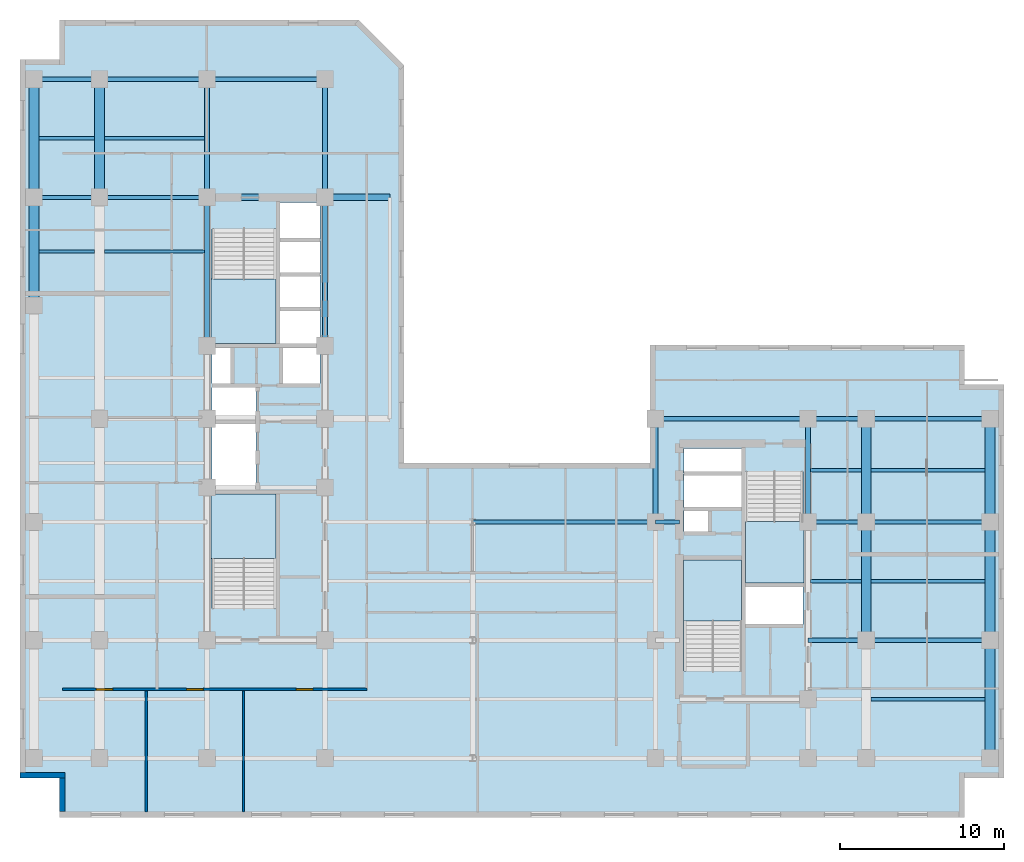
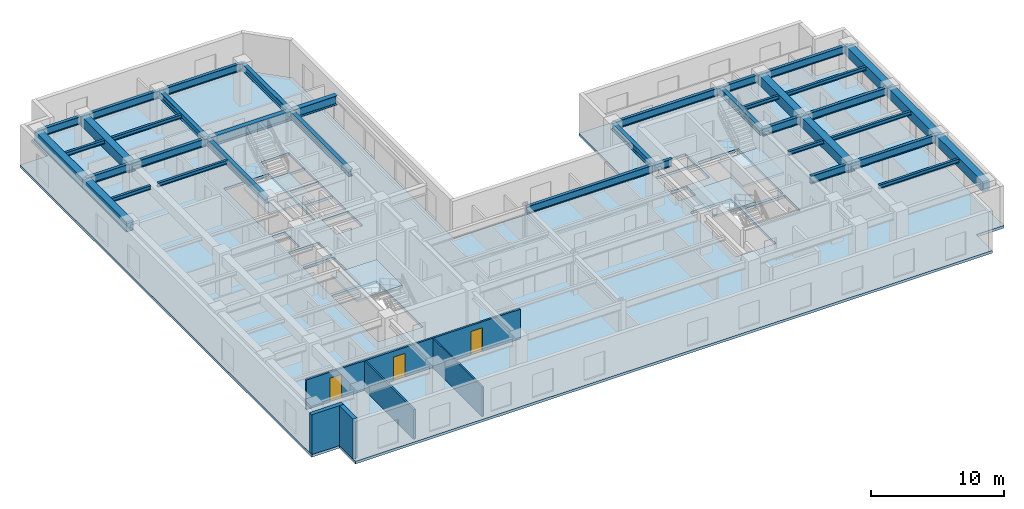
# One storey, part 2 of 10: 38 beams, 5 slabs, 5 walls, 3 doors, 3 openings, 4 elements without a shape of their own.
"""IFC4 building model written with IfcOpenShell, lengths in metres."""

from ifc_helpers import new_model, entity, si_unit, converted_unit, direction, frame, origin_with_axes, origin_2d_with_axis, place, context, subcontext, project, spatial, polyline, rectangle, i_section, outline, extrude, material, layer, layer_set, material_profile, profile_set, type_object, element, fill, aggregate, save


model = new_model("IFC4")

# Units and contexts
model_context = context("Model", 3, precision=1e-05, world=origin_with_axes(), true_north=direction((0.0, 1.0)))
body_context = subcontext(model_context, "Body", "Model", "MODEL_VIEW")
ifc_project = project(units=[si_unit("LENGTHUNIT", "METRE"), si_unit("AREAUNIT", "SQUARE_METRE"), si_unit("VOLUMEUNIT", "CUBIC_METRE"), converted_unit("PLANEANGLEUNIT", "DEGREE", entity("IfcPlaneAngleMeasure", 0.017453292519943295), si_unit("PLANEANGLEUNIT", "RADIAN"), dimensions=[0, 0, 0, 0, 0, 0, 0]), si_unit("MASSUNIT", "GRAM", prefix="KILO"), si_unit("THERMODYNAMICTEMPERATUREUNIT", "KELVIN")], contexts=[model_context])

# Site, building, storey
site_placement = place(None, origin_with_axes())
site = spatial("IfcSite", under=ifc_project, at=site_placement, CompositionType="ELEMENT")
building_placement = place(site_placement, origin_with_axes())
building = spatial("IfcBuilding", under=site, at=building_placement, Name="Varnlund Millrace Tower", CompositionType="ELEMENT")
storey_placement = place(building_placement, frame((0.0, 0.0, 160.2), z_axis=(0.0, 0.0, 1.0), x_axis=(1.0, 0.0, 0.0)))
storey = spatial("IfcBuildingStorey", under=building, at=storey_placement, Name="L39", CompositionType="ELEMENT", Elevation=160.2)

# Beams
ifc_material_1 = material(Name="Steel ASTM A992 Grade 50", Category="steel")
ifc_material_profile_1 = material_profile(ifc_material_1, i_section(OverallWidth=0.328, OverallDepth=0.628, WebThickness=0.0165, FlangeThickness=0.0277, FilletRadius=0.018, at=origin_2d_with_axis()), Name="Steel ASTM A992 Grade 50")
ifc_profile_set_1 = profile_set([ifc_material_profile_1], Name="Steel ASTM A992 Grade 50")
beam_type_1 = type_object("IfcBeamType", Name="Type-Girder-W24X146", PredefinedType="USERDEFINED", material=ifc_profile_set_1)
beam_1_placement = place(storey_placement, frame((11.4, 28.75, 3.346), z_axis=(0.0, 1.0, 0.0), x_axis=(-1.0, 0.0, 0.0)))
element("IfcBeam", 1, at=beam_1_placement, inside=storey, type_object=beam_type_1, Name="Type-Girder-W24X146", ObjectType="GIRDER", PredefinedType="USERDEFINED", context=body_context, shape_type="SweptSolid", body=[
    extrude(i_section(OverallWidth=0.328, OverallDepth=0.628, WebThickness=0.0165, FlangeThickness=0.0277, FilletRadius=0.018, at=origin_2d_with_axis()), origin_with_axes(), (0.0, 0.0, 1.0), 9.05),
])
beam_2_placement = place(storey_placement, frame((11.4, 37.8, 3.346), z_axis=(0.0, 1.0, 0.0), x_axis=(-1.0, 0.0, 0.0)))
element("IfcBeam", 2, at=beam_2_placement, inside=storey, type_object=beam_type_1, Name="Type-Girder-W24X146", ObjectType="GIRDER", PredefinedType="USERDEFINED", context=body_context, shape_type="SweptSolid", body=[
    extrude(i_section(OverallWidth=0.328, OverallDepth=0.628, WebThickness=0.0165, FlangeThickness=0.0277, FilletRadius=0.018, at=origin_2d_with_axis()), origin_with_axes(), (0.0, 0.0, 1.0), 7.2),
])
beam_3_placement = place(storey_placement, frame((18.6, 28.75, 3.346), z_axis=(0.0, 1.0, 0.0), x_axis=(-1.0, 0.0, 0.0)))
element("IfcBeam", 3, at=beam_3_placement, inside=storey, type_object=beam_type_1, Name="Type-Girder-W24X146", ObjectType="GIRDER", PredefinedType="USERDEFINED", context=body_context, shape_type="SweptSolid", body=[
    extrude(i_section(OverallWidth=0.328, OverallDepth=0.628, WebThickness=0.0165, FlangeThickness=0.0277, FilletRadius=0.018, at=origin_2d_with_axis()), origin_with_axes(), (0.0, 0.0, 1.0), 9.05),
])
beam_4_placement = place(storey_placement, frame((18.6, 37.8, 3.346), z_axis=(0.0, 1.0, 0.0), x_axis=(-1.0, 0.0, 0.0)))
element("IfcBeam", 4, at=beam_4_placement, inside=storey, type_object=beam_type_1, Name="Type-Girder-W24X146", ObjectType="GIRDER", PredefinedType="USERDEFINED", context=body_context, shape_type="SweptSolid", body=[
    extrude(i_section(OverallWidth=0.328, OverallDepth=0.628, WebThickness=0.0165, FlangeThickness=0.0277, FilletRadius=0.018, at=origin_2d_with_axis()), origin_with_axes(), (0.0, 0.0, 1.0), 7.2),
])
for number, where, z_axis, x_axis, name in (
    (5, (38.75, 18.0, 3.346), (0.0, 1.0, 0.0), (-1.0, 0.0, 0.0), "Type-Girder-W24X146"),
    (6, (48.05, 18.0, 3.346), (0.0, 1.0, 0.0), (-1.0, 0.0, 0.0), "Type-Girder-W24X146"),
):
    element("IfcBeam", number, at=place(storey_placement, frame(where, z_axis=z_axis, x_axis=x_axis)), inside=storey, type_object=beam_type_1, Name=name, ObjectType="GIRDER", PredefinedType="USERDEFINED", context=body_context, shape_type="SweptSolid", body=[
        extrude(i_section(OverallWidth=0.328, OverallDepth=0.628, WebThickness=0.0165, FlangeThickness=0.0277, FilletRadius=0.018, at=origin_2d_with_axis()), origin_with_axes(), (0.0, 0.0, 1.0), 6.3),
    ])
ifc_material_profile_2 = material_profile(ifc_material_1, i_section(OverallWidth=0.256, OverallDepth=0.693, WebThickness=0.0145, FlangeThickness=0.0236, FilletRadius=0.018, at=origin_2d_with_axis()), Name="Steel ASTM A992 Grade 50")
ifc_profile_set_2 = profile_set([ifc_material_profile_2], Name="Steel ASTM A992 Grade 50")
beam_type_2 = type_object("IfcBeamType", Name="Type-Girder-W27X114", PredefinedType="USERDEFINED", material=ifc_profile_set_2)
beam_5_placement = place(storey_placement, frame((48.05, 10.8, 3.3135), z_axis=(1.0, 0.0, 0.0), x_axis=(0.0, 1.0, 0.0)))
element("IfcBeam", 7, at=beam_5_placement, inside=storey, type_object=beam_type_2, Name="Type-Girder-W27X114", ObjectType="GIRDER", PredefinedType="USERDEFINED", context=body_context, shape_type="SweptSolid", body=[
    extrude(i_section(OverallWidth=0.256, OverallDepth=0.693, WebThickness=0.0145, FlangeThickness=0.0236, FilletRadius=0.018, at=origin_2d_with_axis()), origin_with_axes(), (0.0, 0.0, 1.0), 3.55),
])
beam_6_placement = place(storey_placement, frame((51.6, 10.8, 3.3135), z_axis=(1.0, 0.0, 0.0), x_axis=(0.0, 1.0, 0.0)))
element("IfcBeam", 8, at=beam_6_placement, inside=storey, type_object=beam_type_2, Name="Type-Girder-W27X114", ObjectType="GIRDER", PredefinedType="USERDEFINED", context=body_context, shape_type="SweptSolid", body=[
    extrude(i_section(OverallWidth=0.256, OverallDepth=0.693, WebThickness=0.0145, FlangeThickness=0.0236, FilletRadius=0.018, at=origin_2d_with_axis()), origin_with_axes(), (0.0, 0.0, 1.0), 7.55),
])
beam_7_placement = place(storey_placement, frame((27.6, 18.0, 3.3135), z_axis=(1.0, 0.0, 0.0), x_axis=(0.0, 1.0, 0.0)))
element("IfcBeam", 9, at=beam_7_placement, inside=storey, type_object=beam_type_2, Name="Type-Girder-W27X114", ObjectType="GIRDER", PredefinedType="USERDEFINED", context=body_context, shape_type="SweptSolid", body=[
    extrude(i_section(OverallWidth=0.256, OverallDepth=0.693, WebThickness=0.0145, FlangeThickness=0.0236, FilletRadius=0.018, at=origin_2d_with_axis()), origin_with_axes(), (0.0, 0.0, 1.0), 11.15),
])
beam_8_placement = place(storey_placement, frame((38.75, 18.0, 3.3135), z_axis=(1.0, 0.0, 0.0), x_axis=(0.0, 1.0, 0.0)))
element("IfcBeam", 10, at=beam_8_placement, inside=storey, type_object=beam_type_2, Name="Type-Girder-W27X114", ObjectType="GIRDER", PredefinedType="USERDEFINED", context=body_context, shape_type="SweptSolid", body=[
    extrude(i_section(OverallWidth=0.256, OverallDepth=0.693, WebThickness=0.0145, FlangeThickness=0.0236, FilletRadius=0.018, at=origin_2d_with_axis()), origin_with_axes(), (0.0, 0.0, 1.0), 1.45),
])
beam_9_placement = place(storey_placement, frame((48.05, 18.0, 3.3135), z_axis=(1.0, 0.0, 0.0), x_axis=(0.0, 1.0, 0.0)))
element("IfcBeam", 11, at=beam_9_placement, inside=storey, type_object=beam_type_2, Name="Type-Girder-W27X114", ObjectType="GIRDER", PredefinedType="USERDEFINED", context=body_context, shape_type="SweptSolid", body=[
    extrude(i_section(OverallWidth=0.256, OverallDepth=0.693, WebThickness=0.0145, FlangeThickness=0.0236, FilletRadius=0.018, at=origin_2d_with_axis()), origin_with_axes(), (0.0, 0.0, 1.0), 3.55),
])
beam_10_placement = place(storey_placement, frame((51.6, 18.0, 3.3135), z_axis=(1.0, 0.0, 0.0), x_axis=(0.0, 1.0, 0.0)))
element("IfcBeam", 12, at=beam_10_placement, inside=storey, type_object=beam_type_2, Name="Type-Girder-W27X114", ObjectType="GIRDER", PredefinedType="USERDEFINED", context=body_context, shape_type="SweptSolid", body=[
    extrude(i_section(OverallWidth=0.256, OverallDepth=0.693, WebThickness=0.0145, FlangeThickness=0.0236, FilletRadius=0.018, at=origin_2d_with_axis()), origin_with_axes(), (0.0, 0.0, 1.0), 7.55),
])
beam_11_placement = place(storey_placement, frame((38.75, 24.3, 3.3135), z_axis=(1.0, 0.0, 0.0), x_axis=(0.0, 1.0, 0.0)))
element("IfcBeam", 13, at=beam_11_placement, inside=storey, type_object=beam_type_2, Name="Type-Girder-W27X114", ObjectType="GIRDER", PredefinedType="USERDEFINED", context=body_context, shape_type="SweptSolid", body=[
    extrude(i_section(OverallWidth=0.256, OverallDepth=0.693, WebThickness=0.0145, FlangeThickness=0.0236, FilletRadius=0.018, at=origin_2d_with_axis()), origin_with_axes(), (0.0, 0.0, 1.0), 9.3),
])
beam_12_placement = place(storey_placement, frame((48.05, 24.3, 3.3135), z_axis=(1.0, 0.0, 0.0), x_axis=(0.0, 1.0, 0.0)))
element("IfcBeam", 14, at=beam_12_placement, inside=storey, type_object=beam_type_2, Name="Type-Girder-W27X114", ObjectType="GIRDER", PredefinedType="USERDEFINED", context=body_context, shape_type="SweptSolid", body=[
    extrude(i_section(OverallWidth=0.256, OverallDepth=0.693, WebThickness=0.0145, FlangeThickness=0.0236, FilletRadius=0.018, at=origin_2d_with_axis()), origin_with_axes(), (0.0, 0.0, 1.0), 3.55),
])
beam_13_placement = place(storey_placement, frame((51.6, 24.3, 3.3135), z_axis=(1.0, 0.0, 0.0), x_axis=(0.0, 1.0, 0.0)))
element("IfcBeam", 15, at=beam_13_placement, inside=storey, type_object=beam_type_2, Name="Type-Girder-W27X114", ObjectType="GIRDER", PredefinedType="USERDEFINED", context=body_context, shape_type="SweptSolid", body=[
    extrude(i_section(OverallWidth=0.256, OverallDepth=0.693, WebThickness=0.0145, FlangeThickness=0.0236, FilletRadius=0.018, at=origin_2d_with_axis()), origin_with_axes(), (0.0, 0.0, 1.0), 7.55),
])
beam_14_placement = place(storey_placement, frame((0.85, 37.8, 3.3135), z_axis=(1.0, 0.0, 0.0), x_axis=(0.0, 1.0, 0.0)))
element("IfcBeam", 16, at=beam_14_placement, inside=storey, type_object=beam_type_2, Name="Type-Girder-W27X114", ObjectType="GIRDER", PredefinedType="USERDEFINED", context=body_context, shape_type="SweptSolid", body=[
    extrude(i_section(OverallWidth=0.256, OverallDepth=0.693, WebThickness=0.0145, FlangeThickness=0.0236, FilletRadius=0.018, at=origin_2d_with_axis()), origin_with_axes(), (0.0, 0.0, 1.0), 4.0),
])
beam_15_placement = place(storey_placement, frame((4.85, 37.8, 3.3135), z_axis=(1.0, 0.0, 0.0), x_axis=(0.0, 1.0, 0.0)))
element("IfcBeam", 17, at=beam_15_placement, inside=storey, type_object=beam_type_2, Name="Type-Girder-W27X114", ObjectType="GIRDER", PredefinedType="USERDEFINED", context=body_context, shape_type="SweptSolid", body=[
    extrude(i_section(OverallWidth=0.256, OverallDepth=0.693, WebThickness=0.0145, FlangeThickness=0.0236, FilletRadius=0.018, at=origin_2d_with_axis()), origin_with_axes(), (0.0, 0.0, 1.0), 6.55),
])
beam_16_placement = place(storey_placement, frame((0.85, 45.0, 3.3135), z_axis=(1.0, 0.0, 0.0), x_axis=(0.0, 1.0, 0.0)))
element("IfcBeam", 18, at=beam_16_placement, inside=storey, type_object=beam_type_2, Name="Type-Girder-W27X114", ObjectType="GIRDER", PredefinedType="USERDEFINED", context=body_context, shape_type="SweptSolid", body=[
    extrude(i_section(OverallWidth=0.256, OverallDepth=0.693, WebThickness=0.0145, FlangeThickness=0.0236, FilletRadius=0.018, at=origin_2d_with_axis()), origin_with_axes(), (0.0, 0.0, 1.0), 4.0),
])
beam_17_placement = place(storey_placement, frame((4.85, 45.0, 3.3135), z_axis=(1.0, 0.0, 0.0), x_axis=(0.0, 1.0, 0.0)))
element("IfcBeam", 19, at=beam_17_placement, inside=storey, type_object=beam_type_2, Name="Type-Girder-W27X114", ObjectType="GIRDER", PredefinedType="USERDEFINED", context=body_context, shape_type="SweptSolid", body=[
    extrude(i_section(OverallWidth=0.256, OverallDepth=0.693, WebThickness=0.0145, FlangeThickness=0.0236, FilletRadius=0.018, at=origin_2d_with_axis()), origin_with_axes(), (0.0, 0.0, 1.0), 6.55),
])
beam_18_placement = place(storey_placement, frame((11.4, 45.0, 3.3135), z_axis=(1.0, 0.0, 0.0), x_axis=(0.0, 1.0, 0.0)))
element("IfcBeam", 20, at=beam_18_placement, inside=storey, type_object=beam_type_2, Name="Type-Girder-W27X114", ObjectType="GIRDER", PredefinedType="USERDEFINED", context=body_context, shape_type="SweptSolid", body=[
    extrude(i_section(OverallWidth=0.256, OverallDepth=0.693, WebThickness=0.0145, FlangeThickness=0.0236, FilletRadius=0.018, at=origin_2d_with_axis()), origin_with_axes(), (0.0, 0.0, 1.0), 7.2),
])
ifc_material_profile_3 = material_profile(ifc_material_1, i_section(OverallWidth=0.399, OverallDepth=0.855, WebThickness=0.0182, FlangeThickness=0.0292, FilletRadius=0.022, at=origin_2d_with_axis()), Name="Steel ASTM A992 Grade 50")
ifc_profile_set_3 = profile_set([ifc_material_profile_3], Name="Steel ASTM A992 Grade 50")
beam_type_3 = type_object("IfcBeamType", Name="Type-Girder-W33X201", PredefinedType="USERDEFINED", material=ifc_profile_set_3)
beam_19_placement = place(storey_placement, frame((11.4, 37.8, 3.2325), z_axis=(1.0, 0.0, 0.0), x_axis=(0.0, 1.0, 0.0)))
element("IfcBeam", 21, at=beam_19_placement, inside=storey, type_object=beam_type_3, Name="Type-Girder-W33X201", ObjectType="GIRDER", PredefinedType="USERDEFINED", context=body_context, shape_type="SweptSolid", body=[
    extrude(i_section(OverallWidth=0.399, OverallDepth=0.855, WebThickness=0.0182, FlangeThickness=0.0292, FilletRadius=0.022, at=origin_2d_with_axis()), origin_with_axes(), (0.0, 0.0, 1.0), 11.15),
])
ifc_material_profile_4 = material_profile(ifc_material_1, i_section(OverallWidth=0.204, OverallDepth=0.35, WebThickness=0.0086, FlangeThickness=0.0151, FilletRadius=0.013, at=origin_2d_with_axis()), Name="Steel ASTM A992 Grade 50")
ifc_profile_set_4 = profile_set([ifc_material_profile_4], Name="Steel ASTM A992 Grade 50")
beam_type_4 = type_object("IfcBeamType", Name="Type-Joist-W14X48", PredefinedType="JOIST", material=ifc_profile_set_4)
for number, where, z_axis, x_axis, name in (
    (22, (1.15, 34.5, 3.485), (1.0, 0.0, 0.0), (0.0, 1.0, 0.0), "Type-Joist-W14X48"),
    (23, (1.15, 41.4, 3.485), (1.0, 0.0, 0.0), (0.0, 1.0, 0.0), "Type-Joist-W14X48"),
):
    element("IfcBeam", number, at=place(storey_placement, frame(where, z_axis=z_axis, x_axis=x_axis)), inside=storey, type_object=beam_type_4, Name=name, PredefinedType="JOIST", context=body_context, shape_type="SweptSolid", body=[
        extrude(i_section(OverallWidth=0.204, OverallDepth=0.35, WebThickness=0.0086, FlangeThickness=0.0151, FilletRadius=0.013, at=origin_2d_with_axis()), origin_with_axes(), (0.0, 0.0, 1.0), 3.4),
    ])
for number, where, z_axis, x_axis, name in (
    (24, (5.15, 34.5, 3.485), (1.0, 0.0, 0.0), (0.0, 1.0, 0.0), "Type-Joist-W14X48"),
    (25, (5.15, 41.4, 3.485), (1.0, 0.0, 0.0), (0.0, 1.0, 0.0), "Type-Joist-W14X48"),
):
    element("IfcBeam", number, at=place(storey_placement, frame(where, z_axis=z_axis, x_axis=x_axis)), inside=storey, type_object=beam_type_4, Name=name, PredefinedType="JOIST", context=body_context, shape_type="SweptSolid", body=[
        extrude(i_section(OverallWidth=0.204, OverallDepth=0.35, WebThickness=0.0086, FlangeThickness=0.0151, FilletRadius=0.013, at=origin_2d_with_axis()), origin_with_axes(), (0.0, 0.0, 1.0), 6.086),
    ])
for number, where, z_axis, x_axis, name in (
    (26, (48.214, 14.4, 3.485), (1.0, 0.0, 0.0), (0.0, 1.0, 0.0), "Type-Joist-W14X48"),
    (27, (48.214, 21.15, 3.485), (1.0, 0.0, 0.0), (0.0, 1.0, 0.0), "Type-Joist-W14X48"),
):
    element("IfcBeam", number, at=place(storey_placement, frame(where, z_axis=z_axis, x_axis=x_axis)), inside=storey, type_object=beam_type_4, Name=name, PredefinedType="JOIST", context=body_context, shape_type="SweptSolid", body=[
        extrude(i_section(OverallWidth=0.204, OverallDepth=0.35, WebThickness=0.0086, FlangeThickness=0.0151, FilletRadius=0.013, at=origin_2d_with_axis()), origin_with_axes(), (0.0, 0.0, 1.0), 3.086),
    ])
for number, where, z_axis, x_axis, name in (
    (28, (51.9, 7.2, 3.485), (1.0, 0.0, 0.0), (0.0, 1.0, 0.0), "Type-Joist-W14X48"),
    (29, (51.9, 14.4, 3.485), (1.0, 0.0, 0.0), (0.0, 1.0, 0.0), "Type-Joist-W14X48"),
    (30, (51.9, 21.15, 3.485), (1.0, 0.0, 0.0), (0.0, 1.0, 0.0), "Type-Joist-W14X48"),
):
    element("IfcBeam", number, at=place(storey_placement, frame(where, z_axis=z_axis, x_axis=x_axis)), inside=storey, type_object=beam_type_4, Name=name, PredefinedType="JOIST", context=body_context, shape_type="SweptSolid", body=[
        extrude(i_section(OverallWidth=0.204, OverallDepth=0.35, WebThickness=0.0086, FlangeThickness=0.0151, FilletRadius=0.013, at=origin_2d_with_axis()), origin_with_axes(), (0.0, 0.0, 1.0), 6.95),
    ])
ifc_material_2 = material(Name="Concrete C70/85", Category="concrete")
ifc_material_profile_5 = material_profile(ifc_material_2, rectangle(XDim=0.6, YDim=0.9, at=origin_2d_with_axis()), Name="Concrete C70/85")
ifc_profile_set_5 = profile_set([ifc_material_profile_5], Name="Concrete C70/85")
beam_type_5 = type_object("IfcBeamType", Name="Type-Spandrel-RC600X900", PredefinedType="SPANDREL", material=ifc_profile_set_5)
beam_20_placement = place(storey_placement, frame((0.85, 31.2, 3.21), z_axis=(0.0, 1.0, 0.0), x_axis=(-1.0, 0.0, 0.0)))
element("IfcBeam", 31, at=beam_20_placement, inside=storey, type_object=beam_type_5, Name="Type-Spandrel-RC600X900", PredefinedType="SPANDREL", context=body_context, shape_type="SweptSolid", body=[
    extrude(rectangle(XDim=0.6, YDim=0.9, at=origin_2d_with_axis()), origin_with_axes(), (0.0, 0.0, 1.0), 6.6),
])
for number, where, z_axis, x_axis, name in (
    (32, (0.85, 37.8, 3.21), (0.0, 1.0, 0.0), (-1.0, 0.0, 0.0), "Type-Spandrel-RC600X900"),
    (33, (4.85, 37.8, 3.21), (0.0, 1.0, 0.0), (-1.0, 0.0, 0.0), "Type-Spandrel-RC600X900"),
    (34, (51.6, 10.8, 3.21), (0.0, 1.0, 0.0), (-1.0, 0.0, 0.0), "Type-Spandrel-RC600X900"),
):
    element("IfcBeam", number, at=place(storey_placement, frame(where, z_axis=z_axis, x_axis=x_axis)), inside=storey, type_object=beam_type_5, Name=name, PredefinedType="SPANDREL", context=body_context, shape_type="SweptSolid", body=[
        extrude(rectangle(XDim=0.6, YDim=0.9, at=origin_2d_with_axis()), origin_with_axes(), (0.0, 0.0, 1.0), 7.2),
    ])
beam_21_placement = place(storey_placement, frame((51.6, 18.0, 3.21), z_axis=(0.0, 1.0, 0.0), x_axis=(-1.0, 0.0, 0.0)))
element("IfcBeam", 35, at=beam_21_placement, inside=storey, type_object=beam_type_5, Name="Type-Spandrel-RC600X900", PredefinedType="SPANDREL", context=body_context, shape_type="SweptSolid", body=[
    extrude(rectangle(XDim=0.6, YDim=0.9, at=origin_2d_with_axis()), origin_with_axes(), (0.0, 0.0, 1.0), 6.3),
])
for number, where, z_axis, x_axis, name in (
    (36, (59.15, 3.6, 3.21), (0.0, 1.0, 0.0), (-1.0, 0.0, 0.0), "Type-Spandrel-RC600X900"),
    (37, (59.15, 10.8, 3.21), (0.0, 1.0, 0.0), (-1.0, 0.0, 0.0), "Type-Spandrel-RC600X900"),
):
    element("IfcBeam", number, at=place(storey_placement, frame(where, z_axis=z_axis, x_axis=x_axis)), inside=storey, type_object=beam_type_5, Name=name, PredefinedType="SPANDREL", context=body_context, shape_type="SweptSolid", body=[
        extrude(rectangle(XDim=0.6, YDim=0.9, at=origin_2d_with_axis()), origin_with_axes(), (0.0, 0.0, 1.0), 7.2),
    ])
beam_22_placement = place(storey_placement, frame((59.15, 18.0, 3.21), z_axis=(0.0, 1.0, 0.0), x_axis=(-1.0, 0.0, 0.0)))
element("IfcBeam", 38, at=beam_22_placement, inside=storey, type_object=beam_type_5, Name="Type-Spandrel-RC600X900", PredefinedType="SPANDREL", context=body_context, shape_type="SweptSolid", body=[
    extrude(rectangle(XDim=0.6, YDim=0.9, at=origin_2d_with_axis()), origin_with_axes(), (0.0, 0.0, 1.0), 6.3),
])

# Slab
ifc_material_3 = material(Name="Concrete C60/75", Category="concrete")
ifc_layer_1 = layer(ifc_material_3, 0.24, Name="Concrete C60/75")
ifc_layer_set_1 = layer_set([ifc_layer_1], Name="Concrete C60/75")
slab_type_1 = type_object("IfcSlabType", Name="Type-Deck-Plate-Typical-240", PredefinedType="FLOOR", material=ifc_layer_set_1)
slab_1_placement = place(storey_placement, frame((0.0, 0.0, -0.24), z_axis=(0.0, 0.0, 1.0), x_axis=(1.0, 0.0, 0.0)))
element("IfcSlab", 39, at=slab_1_placement, inside=storey, type_object=slab_type_1, Name="Type-Deck-Plate-Typical-240", PredefinedType="FLOOR", context=body_context, shape_type="SweptSolid", body=[
    extrude(outline(polyline([(23.416, 21.6), (23.416, 45.84), (20.656, 48.6), (2.4, 48.6), (2.4, 46.2), (0.0, 46.2), (0.0, 2.4), (2.4, 2.4), (2.4, 0.0), (57.6, 0.0), (57.6, 2.4), (60.0, 2.4), (60.0, 26.4), (57.6, 26.4), (57.6, 28.8), (38.4, 28.8), (38.4, 21.6), (23.416, 21.6)]), holes=[polyline([(15.6, 12.715), (11.7, 12.715), (11.7, 19.7), (15.6, 19.7), (15.6, 12.715)]), polyline([(14.38, 23.98), (14.38, 19.94), (11.7, 19.94), (11.7, 23.98), (14.38, 23.98)]), polyline([(14.38, 24.24), (11.7, 24.24), (11.7, 26.2), (14.38, 26.2), (14.38, 24.24)]), polyline([(12.84, 26.46), (11.7, 26.46), (11.7, 28.65), (12.84, 28.65), (12.84, 26.46)]), polyline([(18.3, 28.9), (15.84, 28.9), (15.84, 30.98), (18.3, 30.98), (18.3, 28.9)]), polyline([(18.3, 31.02), (15.84, 31.02), (15.84, 33.08), (18.3, 33.08), (18.3, 31.02)]), polyline([(15.6, 28.9), (11.7, 28.9), (11.7, 35.885), (15.6, 35.885), (15.6, 28.9)]), polyline([(18.3, 33.12), (15.84, 33.12), (15.84, 35.18), (18.3, 35.18), (18.3, 33.12)]), polyline([(44.0, 8.915), (40.5, 8.915), (40.5, 15.7), (44.0, 15.7), (44.0, 8.915)]), polyline([(47.75, 11.74), (44.25, 11.74), (44.25, 14.06), (47.75, 14.06), (47.75, 11.74)]), polyline([(47.75, 14.3), (44.25, 14.3), (44.25, 21.085), (47.75, 21.085), (47.75, 14.3)]), polyline([(41.95, 17.42), (40.5, 17.42), (40.5, 18.72), (41.95, 18.72), (41.95, 17.42)]), polyline([(44.0, 18.88), (40.5, 18.88), (40.5, 20.94), (44.0, 20.94), (44.0, 18.88)]), polyline([(44.0, 21.0), (40.5, 21.0), (40.5, 22.5), (44.0, 22.5), (44.0, 21.0)]), polyline([(16.04, 26.46), (16.04, 28.65), (18.3, 28.65), (18.3, 26.46), (16.04, 26.46)]), polyline([(15.84, 35.22), (15.84, 37.5), (18.3, 37.5), (18.3, 35.22), (15.84, 35.22)])]), origin_with_axes(), (0.0, 0.0, 1.0), 0.24),
])

# Stair, slab
ifc_material_4 = material(Name="Concrete C50/60", Category="concrete")
stair_type_1 = type_object("IfcStairType", Name="Type-Stair-Dogleg-185-390", PredefinedType="HALF_TURN_STAIR", material=ifc_material_4)
stair_1_placement = place(storey_placement, origin_with_axes())
stair_1 = element("IfcStair", 40, at=stair_1_placement, inside=storey, type_object=stair_type_1, Name="Type-Stair-Dogleg-185-390", PredefinedType="HALF_TURN_STAIR")
ifc_layer_2 = layer(ifc_material_4, 0.2, Name="Concrete C50/60")
ifc_layer_set_2 = layer_set([ifc_layer_2], Name="Concrete C50/60")
slab_type_2 = type_object("IfcSlabType", Name="Type-StairLanding-200", PredefinedType="LANDING", material=ifc_layer_set_2)
slab_2_placement = place(storey_placement, frame((0.0, 0.0, 1.75), z_axis=(0.0, 0.0, 1.0), x_axis=(1.0, 0.0, 0.0)))
slab_2 = element("IfcSlab", 41, at=slab_2_placement, type_object=slab_type_2, Name="ST-A1 landing 1", PredefinedType="LANDING", context=body_context, shape_type="SweptSolid", body=[
    extrude(outline(polyline([(15.6, 15.78), (15.6, 19.7), (11.65, 19.7), (11.65, 15.78), (15.6, 15.78)])), origin_with_axes(), (0.0, 0.0, 1.0), 0.2),
])
aggregate(stair_1, [slab_2])

stair_2_placement = place(storey_placement, origin_with_axes())
stair_2 = element("IfcStair", 42, at=stair_2_placement, inside=storey, type_object=stair_type_1, Name="Type-Stair-Dogleg-185-390", PredefinedType="HALF_TURN_STAIR")
slab_3_placement = place(storey_placement, frame((0.0, 0.0, 1.75), z_axis=(0.0, 0.0, 1.0), x_axis=(1.0, 0.0, 0.0)))
slab_3 = element("IfcSlab", 43, at=slab_3_placement, type_object=slab_type_2, Name="ST-A2 landing 1", PredefinedType="LANDING", context=body_context, shape_type="SweptSolid", body=[
    extrude(outline(polyline([(11.65, 32.82), (11.65, 28.9), (15.6, 28.9), (15.6, 32.82), (11.65, 32.82)])), origin_with_axes(), (0.0, 0.0, 1.0), 0.2),
])
aggregate(stair_2, [slab_3])

stair_type_2 = type_object("IfcStairType", Name="Type-Stair-Dogleg-165-390", PredefinedType="HALF_TURN_STAIR", material=ifc_material_4)
stair_3_placement = place(storey_placement, origin_with_axes())
stair_3 = element("IfcStair", 44, at=stair_3_placement, inside=storey, type_object=stair_type_2, Name="Type-Stair-Dogleg-165-390", PredefinedType="HALF_TURN_STAIR")
slab_4_placement = place(storey_placement, frame((0.0, 0.0, 1.75), z_axis=(0.0, 0.0, 1.0), x_axis=(1.0, 0.0, 0.0)))
slab_4 = element("IfcSlab", 45, at=slab_4_placement, type_object=slab_type_2, Name="ST-B1 landing 1", PredefinedType="LANDING", context=body_context, shape_type="SweptSolid", body=[
    extrude(outline(polyline([(44.0, 11.98), (44.0, 15.7), (40.45, 15.7), (40.45, 11.98), (44.0, 11.98)])), origin_with_axes(), (0.0, 0.0, 1.0), 0.2),
])
aggregate(stair_3, [slab_4])

stair_4_placement = place(storey_placement, origin_with_axes())
stair_4 = element("IfcStair", 46, at=stair_4_placement, inside=storey, type_object=stair_type_2, Name="Type-Stair-Dogleg-165-390", PredefinedType="HALF_TURN_STAIR")
slab_5_placement = place(storey_placement, frame((0.0, 0.0, 1.75), z_axis=(0.0, 0.0, 1.0), x_axis=(1.0, 0.0, 0.0)))
slab_5 = element("IfcSlab", 47, at=slab_5_placement, type_object=slab_type_2, Name="ST-B2 landing 1", PredefinedType="LANDING", context=body_context, shape_type="SweptSolid", body=[
    extrude(outline(polyline([(44.25, 18.02), (44.25, 14.3), (47.8, 14.3), (47.8, 18.02), (44.25, 18.02)])), origin_with_axes(), (0.0, 0.0, 1.0), 0.2),
])
aggregate(stair_4, [slab_5])

# Walls
ifc_material_5 = material(Name="Precast concrete C50/60", Category="concrete")
ifc_layer_3 = layer(ifc_material_5, 0.34, Name="Precast concrete C50/60")
ifc_layer_set_3 = layer_set([ifc_layer_3], Name="Precast concrete C50/60")
wall_type_1 = type_object("IfcWallType", Name="Type-ExtWall-Precast-Upper-340", PredefinedType="SOLIDWALL", material=ifc_layer_set_3)
wall_1_placement = place(storey_placement, frame((2.57, 0.34, 0.0), z_axis=(0.0, 0.0, 1.0), x_axis=(0.0, 1.0, 0.0)))
element("IfcWall", 48, at=wall_1_placement, inside=storey, type_object=wall_type_1, Name="Type-ExtWall-Precast-Upper-340", PredefinedType="SOLIDWALL", context=body_context, shape_type="SweptSolid", body=[
    extrude(outline(polyline([(0.0, -0.17), (2.06, -0.17), (2.06, 0.17), (0.0, 0.17), (0.0, -0.17)])), origin_with_axes(), (0.0, 0.0, 1.0), 3.66),
])
wall_2_placement = place(storey_placement, frame((2.74, 2.57, 0.0), z_axis=(0.0, 0.0, 1.0), x_axis=(-1.0, 0.0, 0.0)))
element("IfcWall", 49, at=wall_2_placement, inside=storey, type_object=wall_type_1, Name="Type-ExtWall-Precast-Upper-340", PredefinedType="SOLIDWALL", context=body_context, shape_type="SweptSolid", body=[
    extrude(outline(polyline([(0.0, -0.17), (2.74, -0.17), (2.74, 0.17), (0.0, 0.17), (0.0, -0.17)])), origin_with_axes(), (0.0, 0.0, 1.0), 3.66),
])

# Wall, openings, doors
ifc_material_6 = material(Name="Fire-rated gypsum board on cold-formed steel framing", Category="steel")
ifc_layer_4 = layer(ifc_material_6, 0.16, Name="Fire-rated gypsum board on cold-formed steel framing")
ifc_layer_set_4 = layer_set([ifc_layer_4], Name="Fire-rated gypsum board on cold-formed steel framing")
wall_type_2 = type_object("IfcWallType", Name="Type-Partition-Corridor-160", PredefinedType="PARTITIONING", material=ifc_layer_set_4)
wall_3_placement = place(storey_placement, frame((2.6, 7.8, 0.0), z_axis=(0.0, 0.0, 1.0), x_axis=(1.0, 0.0, 0.0)))
wall_3 = element("IfcWall", 50, at=wall_3_placement, inside=storey, type_object=wall_type_2, Name="Type-Partition-Corridor-160", PredefinedType="PARTITIONING", context=body_context, shape_type="SweptSolid", body=[
    extrude(outline(polyline([(0.0, -0.08), (18.55, -0.08), (18.55, 0.08), (0.0, 0.08), (0.0, -0.08)])), origin_with_axes(), (0.0, 0.0, 1.0), 2.7),
])
opening_1_placement = place(wall_3_placement, frame((2.551, 0.0, 0.0), z_axis=(0.0, 0.0, 1.0), x_axis=(1.0, 0.0, 0.0)))
opening_1 = element("IfcOpeningElement", 51, at=opening_1_placement, cuts=wall_3, Name="Opening L39:DR-WAS-01", PredefinedType="OPENING", context=body_context, shape_type="SweptSolid", body=[
    extrude(rectangle(XDim=1.0, YDim=0.18, at=origin_2d_with_axis()), origin_with_axes(), (0.0, 0.0, 1.0), 2.15),
])
opening_2_placement = place(wall_3_placement, frame((8.0645, 0.0, 0.0), z_axis=(0.0, 0.0, 1.0), x_axis=(1.0, 0.0, 0.0)))
opening_2 = element("IfcOpeningElement", 52, at=opening_2_placement, cuts=wall_3, Name="Opening L39:DR-WAS-02", PredefinedType="OPENING", context=body_context, shape_type="SweptSolid", body=[
    extrude(rectangle(XDim=1.0, YDim=0.18, at=origin_2d_with_axis()), origin_with_axes(), (0.0, 0.0, 1.0), 2.15),
])
opening_3_placement = place(wall_3_placement, frame((14.7585, 0.0, 0.0), z_axis=(0.0, 0.0, 1.0), x_axis=(1.0, 0.0, 0.0)))
opening_3 = element("IfcOpeningElement", 53, at=opening_3_placement, cuts=wall_3, Name="Opening L39:DR-WAS-03", PredefinedType="OPENING", context=body_context, shape_type="SweptSolid", body=[
    extrude(rectangle(XDim=1.0, YDim=0.18, at=origin_2d_with_axis()), origin_with_axes(), (0.0, 0.0, 1.0), 2.15),
])
ifc_material_7 = material(Name="Solid-core white oak and bronze frame door")
door_type = type_object("IfcDoorType", Name="Type-IntDoor-Office-1000X2150", OperationType="NOTDEFINED", PredefinedType="DOOR", material=ifc_material_7)
door_1_placement = place(wall_3_placement, frame((2.551, 0.0, 0.0), z_axis=(0.0, 0.0, 1.0), x_axis=(1.0, 0.0, 0.0)))
door_1 = element("IfcDoor", 54, at=door_1_placement, inside=storey, type_object=door_type, Name="Type-IntDoor-Office-1000X2150", OperationType="SINGLE_SWING_LEFT", OverallHeight=2.15, OverallWidth=1.0, PredefinedType="DOOR", context=body_context, shape_type="SweptSolid", body=[
    extrude(rectangle(XDim=1.0, YDim=0.09, at=origin_2d_with_axis()), origin_with_axes(), (0.0, 0.0, 1.0), 2.15),
])
fill(opening_1, door_1)
door_2_placement = place(wall_3_placement, frame((8.0645, 0.0, 0.0), z_axis=(0.0, 0.0, 1.0), x_axis=(1.0, 0.0, 0.0)))
door_2 = element("IfcDoor", 55, at=door_2_placement, inside=storey, type_object=door_type, Name="Type-IntDoor-Office-1000X2150", OperationType="SINGLE_SWING_RIGHT", OverallHeight=2.15, OverallWidth=1.0, PredefinedType="DOOR", context=body_context, shape_type="SweptSolid", body=[
    extrude(rectangle(XDim=1.0, YDim=0.09, at=origin_2d_with_axis()), origin_with_axes(), (0.0, 0.0, 1.0), 2.15),
])
fill(opening_2, door_2)
door_3_placement = place(wall_3_placement, frame((14.7585, 0.0, 0.0), z_axis=(0.0, 0.0, 1.0), x_axis=(1.0, 0.0, 0.0)))
door_3 = element("IfcDoor", 56, at=door_3_placement, inside=storey, type_object=door_type, Name="Type-IntDoor-Office-1000X2150", OperationType="SINGLE_SWING_LEFT", OverallHeight=2.15, OverallWidth=1.0, PredefinedType="DOOR", context=body_context, shape_type="SweptSolid", body=[
    extrude(rectangle(XDim=1.0, YDim=0.09, at=origin_2d_with_axis()), origin_with_axes(), (0.0, 0.0, 1.0), 2.15),
])
fill(opening_3, door_3)

# Walls
ifc_material_8 = material(Name="Acoustic STC-50 gypsum board partition", Category="gypsum")
ifc_layer_5 = layer(ifc_material_8, 0.15, Name="Acoustic STC-50 gypsum board partition")
ifc_layer_set_5 = layer_set([ifc_layer_5], Name="Acoustic STC-50 gypsum board partition")
wall_type_3 = type_object("IfcWallType", Name="Type-Partition-Demising-150", PredefinedType="PARTITIONING", material=ifc_layer_set_5)
wall_4_placement = place(storey_placement, frame((7.712, 0.335, 0.0), z_axis=(0.0, 0.0, 1.0), x_axis=(0.0, 1.0, 0.0)))
element("IfcWall", 57, at=wall_4_placement, inside=storey, type_object=wall_type_3, Name="Type-Partition-Demising-150", PredefinedType="PARTITIONING", context=body_context, shape_type="SweptSolid", body=[
    extrude(outline(polyline([(0.0, -0.075), (7.365, -0.075), (7.365, 0.075), (0.0, 0.075), (0.0, -0.075)])), origin_with_axes(), (0.0, 0.0, 1.0), 2.7),
])
ifc_material_9 = material(Name="Gypsum board tenant partition", Category="gypsum")
ifc_layer_6 = layer(ifc_material_9, 0.125, Name="Gypsum board tenant partition")
ifc_layer_set_6 = layer_set([ifc_layer_6], Name="Gypsum board tenant partition")
wall_type_4 = type_object("IfcWallType", Name="Type-Partition-Tenant-125", PredefinedType="PARTITIONING", material=ifc_layer_set_6)
wall_5_placement = place(storey_placement, frame((13.617, 0.335, 0.0), z_axis=(0.0, 0.0, 1.0), x_axis=(0.0, 1.0, 0.0)))
element("IfcWall", 58, at=wall_5_placement, inside=storey, type_object=wall_type_4, Name="Type-Partition-Tenant-125", PredefinedType="PARTITIONING", context=body_context, shape_type="SweptSolid", body=[
    extrude(outline(polyline([(0.0, -0.0625), (7.365, -0.0625), (7.365, 0.0625), (0.0, 0.0625), (0.0, -0.0625)])), origin_with_axes(), (0.0, 0.0, 1.0), 2.7),
])

save(model, "model.ifc")
